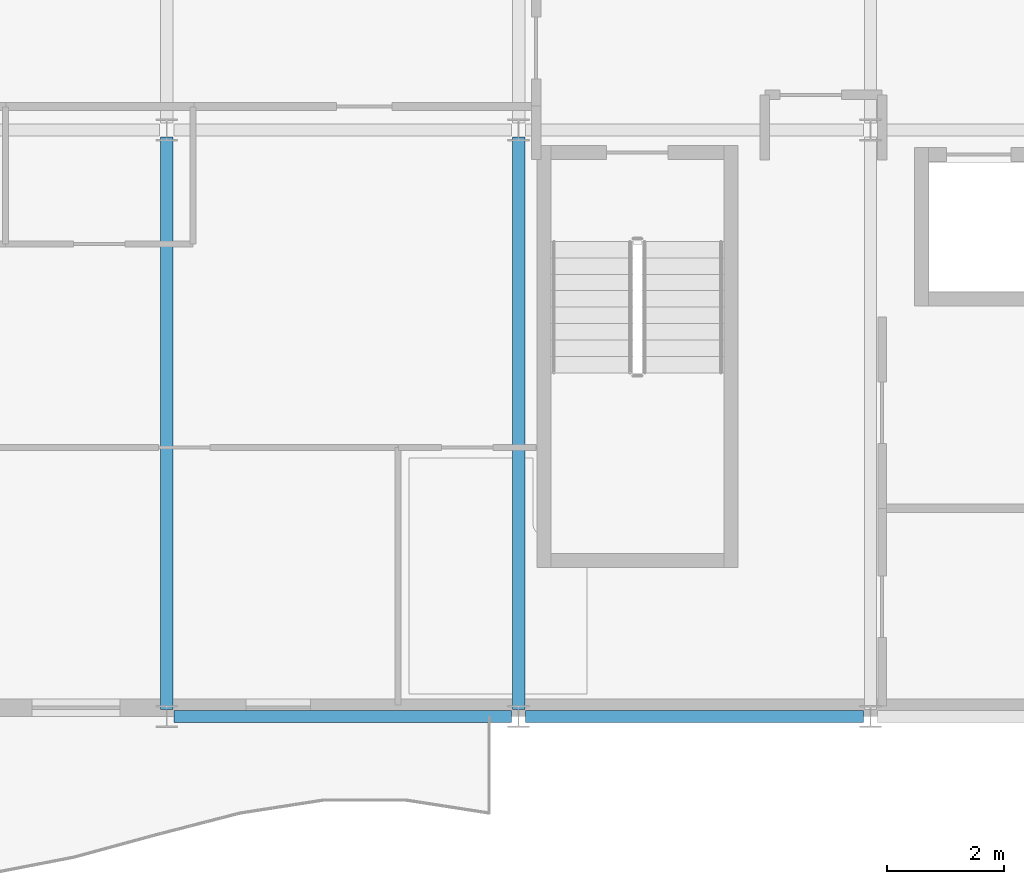
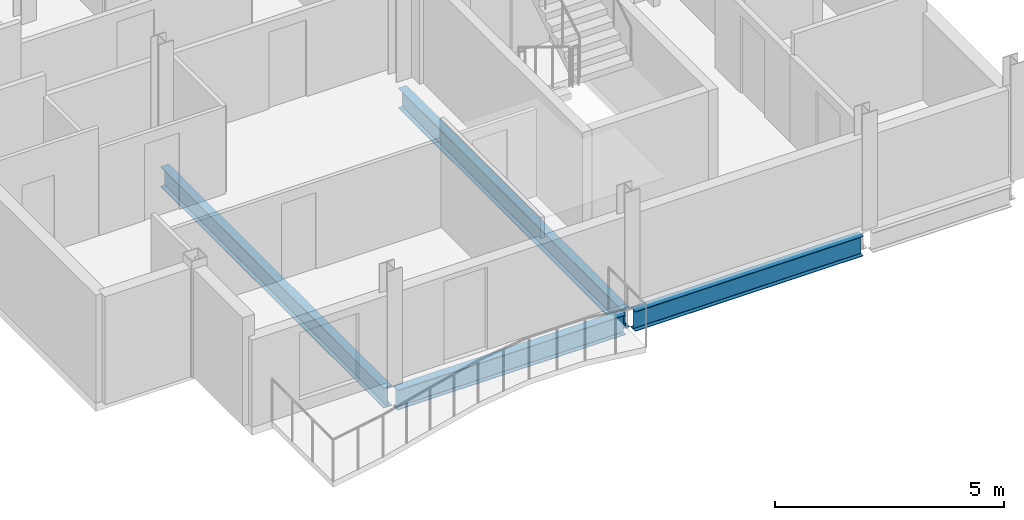
# One storey, part 3 of 29: 4 beams.
"""IFC4 building model written with IfcOpenShell, lengths in metres."""

import ifcopenshell
import ifcopenshell.guid

model = None  # the IFC model being written
_history = None  # IfcOwnerHistory: only IFC2X3 demands one
_inside = {}  # id of a spatial element -> (the spatial element, [elements in it])
_under = {}  # id of a project, library or spatial element -> (it, [spatial elements below it])
_declared = {}  # id of a project -> (the project, [libraries it declares])
_typed = {}  # id of a type object -> (the type object, [elements of that type])
_made_of = {}  # id of a material, layer set ... -> (it, [elements and type objects made of it])


def new_model(schema):
    """Start an empty IFC model of exactly this schema.

    Asked for "IFC4X3", IfcOpenShell would pick the latest addendum, in which some entities
    have other attributes; the version numbers below select the first issue.
    IFC2X3 requires an IfcOwnerHistory on every rooted entity: one is made here for all.
    """
    global model, _history
    if schema == "IFC4X3":
        model = ifcopenshell.file(schema_version=(4, 3, 0, 0))
    else:
        model = ifcopenshell.file(schema=schema)
    _inside.clear()
    _under.clear()
    _declared.clear()
    _typed.clear()
    _made_of.clear()
    _history = None
    if model.schema == "IFC2X3":
        org = make("IfcOrganization", Name="unknown")
        user = make(
            "IfcPersonAndOrganization",
            ThePerson=make("IfcPerson", FamilyName="unknown"),
            TheOrganization=org,
        )
        app = make(
            "IfcApplication",
            ApplicationDeveloper=org,
            Version="unknown",
            ApplicationFullName="unknown",
            ApplicationIdentifier="unknown",
        )
        _history = make(
            "IfcOwnerHistory",
            OwningUser=user,
            OwningApplication=app,
            ChangeAction="ADDED",
            CreationDate=0,
        )
    return model


def make(cls, **values):
    """One entity of the class cls with the attributes given. An attribute that is None is left unset."""
    return model.create_entity(
        cls, **{name: value for name, value in values.items() if value is not None}
    )


def rooted(cls, **values):
    """An entity with a GlobalId (a new one), such as an element, a storey or a relation."""
    return make(cls, GlobalId=ifcopenshell.guid.new(), OwnerHistory=_history, **values)


def si_unit(unit_type, name, prefix=None):
    """IfcSIUnit, for example si_unit("LENGTHUNIT", "METRE", prefix="MILLI")."""
    return make("IfcSIUnit", UnitType=unit_type, Prefix=prefix, Name=name)


def assignment(units):
    """IfcUnitAssignment: the units of a project."""
    return None if units is None else make("IfcUnitAssignment", Units=units)


def point(xyz):
    """IfcCartesianPoint."""
    return None if xyz is None else make("IfcCartesianPoint", Coordinates=xyz)


def direction(xyz):
    """IfcDirection."""
    return None if xyz is None else make("IfcDirection", DirectionRatios=xyz)


def frame(location, z_axis=None, x_axis=None):
    """IfcAxis2Placement3D, a coordinate frame: its origin and axes. An axis left out is left unset."""
    return make(
        "IfcAxis2Placement3D",
        Location=point(location),
        Axis=direction(z_axis),
        RefDirection=direction(x_axis),
    )


def frame_2d(location, x_axis=None):
    """IfcAxis2Placement2D, a coordinate frame in the plane: its origin and x axis."""
    return make(
        "IfcAxis2Placement2D", Location=point(location), RefDirection=direction(x_axis)
    )


def origin():
    """The frame at (0, 0, 0) with its axes left unset."""
    return frame((0.0, 0.0, 0.0))


def origin_2d():
    """The frame at (0, 0) in the plane with its x axis left unset."""
    return frame_2d((0.0, 0.0))


def place(relative_to, where):
    """IfcLocalPlacement: puts the frame where relative to a parent placement (None: the world)."""
    return make(
        "IfcLocalPlacement", PlacementRelTo=relative_to, RelativePlacement=where
    )


def context(
    kind, dimensions, precision=None, world=None, true_north=None, identifier=None
):
    """IfcGeometricRepresentationContext, for example the 3D "Model" context."""
    return make(
        "IfcGeometricRepresentationContext",
        ContextIdentifier=identifier,
        ContextType=kind,
        CoordinateSpaceDimension=dimensions,
        Precision=precision,
        WorldCoordinateSystem=world,
        TrueNorth=true_north,
    )


def subcontext(parent, identifier, kind, view, scale=None):
    """IfcGeometricRepresentationSubContext, for example "Body" below "Model"."""
    return make(
        "IfcGeometricRepresentationSubContext",
        ContextIdentifier=identifier,
        ContextType=kind,
        ParentContext=parent,
        TargetScale=scale,
        TargetView=view,
    )


def project(units=None, contexts=None):
    """IfcProject with its units and contexts."""
    return rooted(
        "IfcProject",
        Name="project",
        RepresentationContexts=contexts,
        UnitsInContext=assignment(units),
    )


def spatial(cls, under=None, at=None, **own):
    """A site, building, storey or space (cls), placed at a placement, below another one or the project."""
    s = rooted(cls, ObjectPlacement=at, **own)
    if under is not None:
        _under.setdefault(under.id(), (under, []))[1].append(s)
    return s


def profile(cls, at=None, kind="AREA", **sizes):
    """A parametric profile (cls). Its sizes go by their IFC names, for example OverallWidth=200.0."""
    return make(cls, ProfileType=kind, Position=at, **sizes)


def i_section(**sizes):
    """IfcIShapeProfileDef."""
    return profile("IfcIShapeProfileDef", **sizes)


def extrude(swept, where, along, depth):
    """IfcExtrudedAreaSolid: the profile swept, set in the frame where, extruded along a direction by depth."""
    return make(
        "IfcExtrudedAreaSolid",
        SweptArea=swept,
        Position=where,
        ExtrudedDirection=direction(along),
        Depth=depth,
    )


def shape(context_of_items, identifier, shape_type, items):
    """IfcShapeRepresentation: the items that make up one representation, for example the "Body"."""
    return make(
        "IfcShapeRepresentation",
        ContextOfItems=context_of_items,
        RepresentationIdentifier=identifier,
        RepresentationType=shape_type,
        Items=items,
    )


def material(Name=None, Category=None):
    """IfcMaterial."""
    return make("IfcMaterial", Name=Name, Category=Category)


def material_profile(
    of_material, cross_section, Name=None, Category=None, Priority=None
):
    """IfcMaterialProfile: a cross section and its material."""
    return make(
        "IfcMaterialProfile",
        Name=Name,
        Material=of_material,
        Profile=cross_section,
        Priority=Priority,
        Category=Category,
    )


def profile_set(profiles, Name=None, composite=None):
    """IfcMaterialProfileSet."""
    return make(
        "IfcMaterialProfileSet",
        Name=Name,
        MaterialProfiles=profiles,
        CompositeProfile=composite,
    )


def made_of(thing, what):
    """Note that an element or type object is made of a material, layer set ...; save() writes the relation."""
    if what is not None:
        _made_of.setdefault(what.id(), (what, []))[1].append(thing)
    return thing


def type_object(cls, material=None, **own):
    """A type object (cls), such as IfcWallType, which elements share."""
    return made_of(rooted(cls, **own), material)


def element(
    cls,
    number,
    at=None,
    inside=None,
    cuts=None,
    type_object=None,
    material=None,
    context=None,
    identifier="Body",
    shape_type=None,
    held_by="IfcProductDefinitionShape",
    body=None,
    shapes=None,
    **own,
):
    """One element of the class cls, such as IfcWall. Its Tag is "e" and its number.

    at: its placement. inside: the storey or other place that contains it. cuts: it is an
    opening in that element (IfcRelVoidsElement). A single representation is given by context,
    identifier, shape_type and body (its items); several are given by shapes. held_by: the class
    of the entity that holds the representations. save() writes the other relations.
    """
    e = rooted(cls, Tag="e%d" % number, ObjectPlacement=at, **own)
    if body is not None:
        shapes = [shape(context, identifier, shape_type, body)]
    if shapes is not None:
        e.Representation = make(held_by, Representations=shapes)
    if inside is not None:
        _inside.setdefault(inside.id(), (inside, []))[1].append(e)
    if cuts is not None:
        rooted(
            "IfcRelVoidsElement", RelatingBuildingElement=cuts, RelatedOpeningElement=e
        )
    if type_object is not None:
        _typed.setdefault(type_object.id(), (type_object, []))[1].append(e)
    return made_of(e, material)


def aggregate(whole, parts):
    """IfcRelAggregates: a whole, such as a stair, and the parts it consists of."""
    return rooted("IfcRelAggregates", RelatingObject=whole, RelatedObjects=parts)


def save(model, path):
    """Write the relations noted so far, then the file.

    IfcRelAggregates (storeys below a building ...), IfcRelContainedInSpatialStructure (elements
    in a storey), IfcRelDefinesByType, IfcRelAssociatesMaterial and IfcRelDeclares: one each for
    every whole, place, type object, material and project.
    """
    for whole, parts in _under.values():
        aggregate(whole, parts)
    for where, things in _inside.values():
        rooted(
            "IfcRelContainedInSpatialStructure",
            RelatedElements=things,
            RelatingStructure=where,
        )
    for kind, things in _typed.values():
        rooted("IfcRelDefinesByType", RelatedObjects=things, RelatingType=kind)
    for what, things in _made_of.values():
        rooted("IfcRelAssociatesMaterial", RelatedObjects=things, RelatingMaterial=what)
    for by, libraries in _declared.values():
        rooted("IfcRelDeclares", RelatingContext=by, RelatedDefinitions=libraries)
    model.write(path)


model = new_model("IFC4")

# Units and contexts
model_context = context("Model", 3, precision=1e-05, world=origin(), true_north=direction((0.0, 1.0)))
body_context = subcontext(model_context, "Body", "Model", "MODEL_VIEW")
ifc_project = project(units=[si_unit("LENGTHUNIT", "METRE"), si_unit("AREAUNIT", "SQUARE_METRE"), si_unit("VOLUMEUNIT", "CUBIC_METRE"), si_unit("PLANEANGLEUNIT", "RADIAN"), si_unit("MASSUNIT", "GRAM", prefix="KILO")], contexts=[model_context])

# Site, building, storey
site_placement = place(None, origin())
site = spatial("IfcSite", under=ifc_project, at=site_placement, CompositionType="ELEMENT")
building_placement = place(site_placement, origin())
building = spatial("IfcBuilding", under=site, at=building_placement, Name="Brevholm Reach", CompositionType="ELEMENT")
storey_placement = place(building_placement, frame((0.0, 0.0, 201.800048828125)))
storey = spatial("IfcBuildingStorey", under=building, at=storey_placement, Name="L61", CompositionType="ELEMENT", Elevation=201.800048828125)

# Beams
ifc_material_1 = material(Name="Structural Steel S355J2", Category="steel")
ifc_material_profile_1 = material_profile(ifc_material_1, i_section(OverallWidth=0.209228515625, OverallDepth=0.533203125, WebThickness=0.010009765625, FlangeThickness=0.015625, FilletRadius=0.0126953125, at=origin_2d()), Name="UKB 533x210x92")
ifc_profile_set_1 = profile_set([ifc_material_profile_1], Name="Structural Steel S355J2")
beam_type_1 = type_object("IfcBeamType", Name="BM-SP533", PredefinedType="SPANDREL", material=ifc_profile_set_1)
for number, where, z_axis, x_axis, name in (
    (1, (6.1201171875, 0.0, -0.4765625), (1.0, 0.0, 0.0), (0.0, 1.0, 0.0), "L61 SP-02 Framing Beam"),
    (2, (12.1201171875, 0.0, -0.4765625), (1.0, 0.0, 0.0), (0.0, 1.0, 0.0), "L61 SP-02 Framing Beam"),
):
    element("IfcBeam", number, at=place(storey_placement, frame(where, z_axis=z_axis, x_axis=x_axis)), inside=storey, type_object=beam_type_1, Name=name, PredefinedType="SPANDREL", context=body_context, shape_type="SweptSolid", body=[
        extrude(i_section(OverallWidth=0.209228515625, OverallDepth=0.533203125, WebThickness=0.010009765625, FlangeThickness=0.015625, FilletRadius=0.0126953125, at=origin_2d()), origin(), (0.0, 0.0, 1.0), 5.759765625),
    ])
ifc_material_2 = material(Name="Structural Steel S355J2", Category="steel")
ifc_material_profile_2 = material_profile(ifc_material_2, i_section(OverallWidth=0.210693359375, OverallDepth=0.53955078125, WebThickness=0.01171875, FlangeThickness=0.018798828125, FilletRadius=0.0126953125, at=origin_2d()), Name="UKB 533x210x109")
ifc_profile_set_2 = profile_set([ifc_material_profile_2], Name="Structural Steel S355J2")
beam_type_2 = type_object("IfcBeamType", Name="BM-SP539", PredefinedType="SPANDREL", material=ifc_profile_set_2)
for number, where, z_axis, x_axis, name in (
    (3, (6.0, 0.1201171875, -0.479736328125), (0.0, 1.0, 0.0), (-1.0, 0.0, 0.0), "L61 SP-01B Framing Beam"),
    (4, (12.0, 0.1201171875, -0.479736328125), (0.0, 1.0, 0.0), (-1.0, 0.0, 0.0), "L61 SP-01B Framing Beam"),
):
    element("IfcBeam", number, at=place(storey_placement, frame(where, z_axis=z_axis, x_axis=x_axis)), inside=storey, type_object=beam_type_2, Name=name, PredefinedType="SPANDREL", context=body_context, shape_type="SweptSolid", body=[
        extrude(i_section(OverallWidth=0.210693359375, OverallDepth=0.53955078125, WebThickness=0.01171875, FlangeThickness=0.018798828125, FilletRadius=0.0126953125, at=origin_2d()), origin(), (0.0, 0.0, 1.0), 9.759765625),
    ])

save(model, "model.ifc")
